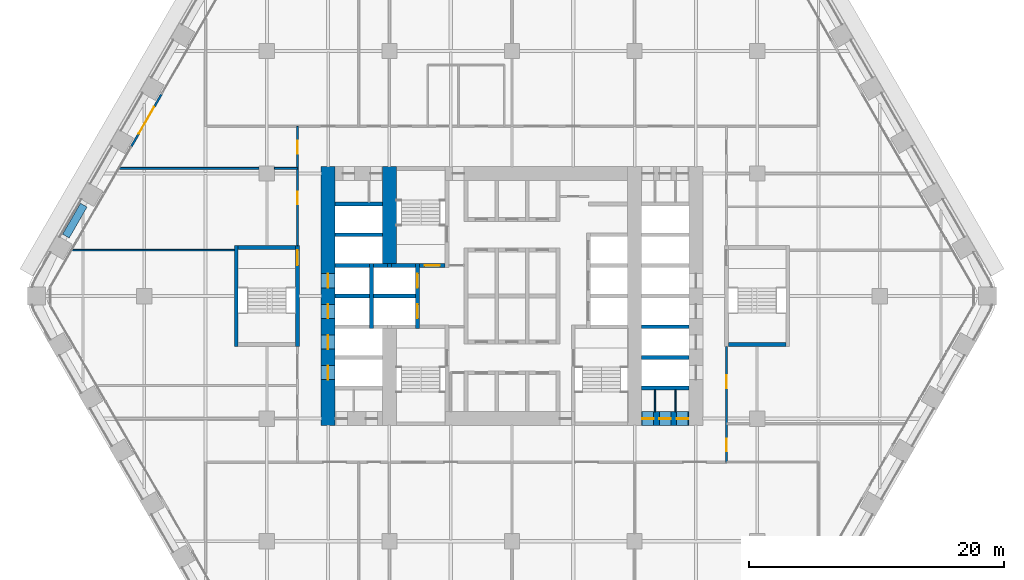
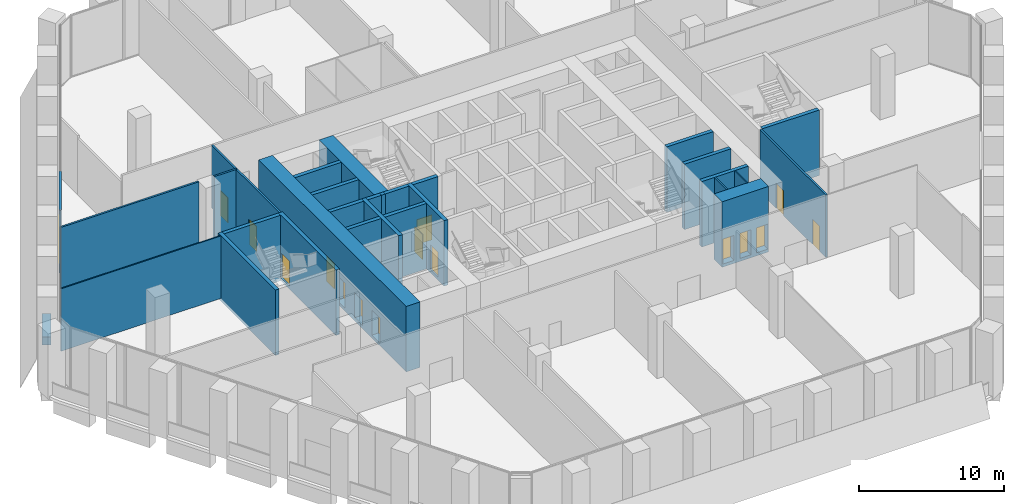
# One storey, part 19 of 27: 30 walls, 16 doors, 16 openings.
"""IFC4 building model written with IfcOpenShell, lengths in metres."""

from ifc_helpers import new_model, si_unit, direction, frame, frame_2d, origin, place, context, subcontext, project, spatial, rectangle, extrude, material, layer, layer_set, type_object, element, fill, save


model = new_model("IFC4")

# Units and contexts
model_context = context("Model", 3, precision=1e-05, world=origin(), true_north=direction((0.0, 1.0)))
body_context = subcontext(model_context, "Body", "Model", "MODEL_VIEW")
ifc_project = project(units=[si_unit("LENGTHUNIT", "METRE"), si_unit("AREAUNIT", "SQUARE_METRE"), si_unit("VOLUMEUNIT", "CUBIC_METRE"), si_unit("PLANEANGLEUNIT", "RADIAN"), si_unit("MASSUNIT", "GRAM", prefix="KILO")], contexts=[model_context])

# Site, building, storey
site_placement = place(None, origin())
site = spatial("IfcSite", under=ifc_project, at=site_placement, CompositionType="ELEMENT")
building_placement = place(site_placement, origin())
building = spatial("IfcBuilding", under=site, at=building_placement, Name="Kolab Exchange Tower", CompositionType="ELEMENT")
storey_placement = place(building_placement, frame((0.0, 0.0, 49.89990234375)))
storey = spatial("IfcBuildingStorey", under=building, at=storey_placement, Name="L09", CompositionType="ELEMENT", Elevation=49.89990234375)

# Wall, openings, doors
ifc_material_1 = material(Name="Concrete C80/95", Category="concrete")
ifc_layer_1 = layer(ifc_material_1, 1.10009765625)
ifc_layer_set_1 = layer_set([ifc_layer_1], Name="Concrete C80/95")
wall_type_1 = type_object("IfcWallType", Name="CORE WALL 1100 C80/95", PredefinedType="SHEAR", material=ifc_layer_set_1)
wall_1_placement = place(storey_placement, frame((10.14990234375, -9.60009765625, -0.25), z_axis=(0.0, 0.0, 1.0), x_axis=(1.0, 0.0, 0.0)))
wall_1 = element("IfcWall", 1, at=wall_1_placement, inside=storey, type_object=wall_type_1, Name="wall/L09/core/004", PredefinedType="SHEAR", context=body_context, shape_type="SweptSolid", body=[
    extrude(rectangle(XDim=3.7001953125, YDim=1.10009765625, at=frame_2d((1.85009765625, 0.0))), origin(), (0.0, 0.0, 1.0), 5.5),
])
opening_1_placement = place(wall_1_placement, frame((0.050048828125, 0.0, 0.25)))
opening_1 = element("IfcOpeningElement", 2, at=opening_1_placement, cuts=wall_1, Name="Opening D6-117", PredefinedType="OPENING", context=body_context, shape_type="SweptSolid", body=[
    extrude(rectangle(XDim=0.89990234375, YDim=2.10009765625, at=frame_2d((0.449951171875, 1.050048828125))), frame((0.0, 0.56005859375, 0.0), z_axis=(0.0, -1.0, 0.0), x_axis=(1.0, 0.0, 0.0)), (0.0, 0.0, 1.0), 1.1201171875),
])
opening_2_placement = place(wall_1_placement, frame((1.39990234375, 0.0, 0.25)))
opening_2 = element("IfcOpeningElement", 3, at=opening_2_placement, cuts=wall_1, Name="Opening D6-100", PredefinedType="OPENING", context=body_context, shape_type="SweptSolid", body=[
    extrude(rectangle(XDim=0.89990234375, YDim=2.10009765625, at=frame_2d((0.449951171875, 1.050048828125))), frame((0.0, 0.56005859375, 0.0), z_axis=(0.0, -1.0, 0.0), x_axis=(1.0, 0.0, 0.0)), (0.0, 0.0, 1.0), 1.1201171875),
])
opening_3_placement = place(wall_1_placement, frame((2.75, 0.0, 0.25)))
opening_3 = element("IfcOpeningElement", 4, at=opening_3_placement, cuts=wall_1, Name="Opening D6-111", PredefinedType="OPENING", context=body_context, shape_type="SweptSolid", body=[
    extrude(rectangle(XDim=0.89990234375, YDim=2.10009765625, at=frame_2d((0.449951171875, 1.050048828125))), frame((0.0, 0.56005859375, 0.0), z_axis=(0.0, -1.0, 0.0), x_axis=(1.0, 0.0, 0.0)), (0.0, 0.0, 1.0), 1.1201171875),
])
ifc_material_2 = material(Name="Steel S235", Category="steel")
door_type_1 = type_object("IfcDoorType", Name="CORE DOOR 900 EI 120", OperationType="SINGLE_SWING_LEFT", PredefinedType="DOOR", material=ifc_material_2)
door_1_placement = place(opening_1_placement, origin())
door_1 = element("IfcDoor", 5, at=door_1_placement, inside=storey, type_object=door_type_1, Name="Service room door", OperationType="SINGLE_SWING_RIGHT", OverallHeight=2.10009765625, OverallWidth=0.89990234375, PredefinedType="DOOR", context=body_context, shape_type="SweptSolid", body=[
    extrude(rectangle(XDim=0.89990234375, YDim=2.10009765625, at=frame_2d((0.449951171875, 1.050048828125))), frame((0.0, 0.02490234375, 0.0), z_axis=(0.0, -1.0, 0.0), x_axis=(1.0, 0.0, 0.0)), (0.0, 0.0, 1.0), 0.050048828125),
])
fill(opening_1, door_1)
door_2_placement = place(opening_2_placement, origin())
door_2 = element("IfcDoor", 6, at=door_2_placement, inside=storey, type_object=door_type_1, Name="Service room door", OperationType="SINGLE_SWING_LEFT", OverallHeight=2.10009765625, OverallWidth=0.89990234375, PredefinedType="DOOR", context=body_context, shape_type="SweptSolid", body=[
    extrude(rectangle(XDim=0.89990234375, YDim=2.10009765625, at=frame_2d((0.449951171875, 1.050048828125))), frame((0.0, 0.02490234375, 0.0), z_axis=(0.0, -1.0, 0.0), x_axis=(1.0, 0.0, 0.0)), (0.0, 0.0, 1.0), 0.050048828125),
])
fill(opening_2, door_2)
door_3_placement = place(opening_3_placement, origin())
door_3 = element("IfcDoor", 7, at=door_3_placement, inside=storey, type_object=door_type_1, Name="Service room door", OperationType="SINGLE_SWING_LEFT", OverallHeight=2.10009765625, OverallWidth=0.89990234375, PredefinedType="DOOR", context=body_context, shape_type="SweptSolid", body=[
    extrude(rectangle(XDim=0.89990234375, YDim=2.10009765625, at=frame_2d((0.449951171875, 1.050048828125))), frame((0.0, 0.02490234375, 0.0), z_axis=(0.0, -1.0, 0.0), x_axis=(1.0, 0.0, 0.0)), (0.0, 0.0, 1.0), 0.050048828125),
])
fill(opening_3, door_3)

wall_2_placement = place(storey_placement, frame((-14.39990234375, -10.14990234375, -0.25), z_axis=(0.0, 0.0, 1.0), x_axis=(0.0, 1.0, 0.0)))
wall_2 = element("IfcWall", 8, at=wall_2_placement, inside=storey, type_object=wall_type_1, Name="wall/L09/core/057", PredefinedType="SHEAR", context=body_context, shape_type="SweptSolid", body=[
    extrude(rectangle(XDim=20.2998046875, YDim=1.10009765625, at=frame_2d((10.14990234375, 0.0))), origin(), (0.0, 0.0, 1.0), 5.5),
])
opening_4_placement = place(wall_2_placement, frame((3.60009765625, 0.0, 0.25)))
opening_4 = element("IfcOpeningElement", 9, at=opening_4_placement, cuts=wall_2, Name="Opening LD1-041", PredefinedType="OPENING", context=body_context, shape_type="SweptSolid", body=[
    extrude(rectangle(XDim=1.10009765625, YDim=2.10009765625, at=frame_2d((0.550048828125, 1.050048828125))), frame((0.0, 0.56005859375, 0.0), z_axis=(0.0, -1.0, 0.0), x_axis=(1.0, 0.0, 0.0)), (0.0, 0.0, 1.0), 1.1201171875),
])
opening_5_placement = place(wall_2_placement, frame((6.0, 0.0, 0.25)))
opening_5 = element("IfcOpeningElement", 10, at=opening_5_placement, cuts=wall_2, Name="Opening LD1-042", PredefinedType="OPENING", context=body_context, shape_type="SweptSolid", body=[
    extrude(rectangle(XDim=1.10009765625, YDim=2.10009765625, at=frame_2d((0.550048828125, 1.050048828125))), frame((0.0, 0.56005859375, 0.0), z_axis=(0.0, -1.0, 0.0), x_axis=(1.0, 0.0, 0.0)), (0.0, 0.0, 1.0), 1.1201171875),
])
opening_6_placement = place(wall_2_placement, frame((8.39990234375, 0.0, 0.25)))
opening_6 = element("IfcOpeningElement", 11, at=opening_6_placement, cuts=wall_2, Name="Opening LD1-043", PredefinedType="OPENING", context=body_context, shape_type="SweptSolid", body=[
    extrude(rectangle(XDim=1.10009765625, YDim=2.10009765625, at=frame_2d((0.550048828125, 1.050048828125))), frame((0.0, 0.56005859375, 0.0), z_axis=(0.0, -1.0, 0.0), x_axis=(1.0, 0.0, 0.0)), (0.0, 0.0, 1.0), 1.1201171875),
])
opening_7_placement = place(wall_2_placement, frame((10.800048828125, 0.0, 0.25)))
opening_7 = element("IfcOpeningElement", 12, at=opening_7_placement, cuts=wall_2, Name="Opening LD1-044", PredefinedType="OPENING", context=body_context, shape_type="SweptSolid", body=[
    extrude(rectangle(XDim=1.10009765625, YDim=2.10009765625, at=frame_2d((0.550048828125, 1.050048828125))), frame((0.0, 0.56005859375, 0.0), z_axis=(0.0, -1.0, 0.0), x_axis=(1.0, 0.0, 0.0)), (0.0, 0.0, 1.0), 1.1201171875),
])
ifc_material_3 = material(Name="Stainless steel 316", Category="steel")
door_type_2 = type_object("IfcDoorType", Name="LANDING DOOR 1100 PASSENGER", OperationType="DOUBLE_DOOR_SLIDING", PredefinedType="DOOR", material=ifc_material_3)
door_4_placement = place(opening_4_placement, origin())
door_4 = element("IfcDoor", 13, at=door_4_placement, inside=storey, type_object=door_type_2, Name="Landing door LR5", OperationType="DOUBLE_DOOR_SLIDING", OverallHeight=2.10009765625, OverallWidth=1.10009765625, PredefinedType="DOOR", context=body_context, shape_type="SweptSolid", body=[
    extrude(rectangle(XDim=1.10009765625, YDim=2.10009765625, at=frame_2d((0.550048828125, 1.050048828125))), frame((0.0, 0.02490234375, 0.0), z_axis=(0.0, -1.0, 0.0), x_axis=(1.0, 0.0, 0.0)), (0.0, 0.0, 1.0), 0.050048828125),
])
fill(opening_4, door_4)
door_5_placement = place(opening_5_placement, origin())
door_5 = element("IfcDoor", 14, at=door_5_placement, inside=storey, type_object=door_type_2, Name="Landing door LR6", OperationType="DOUBLE_DOOR_SLIDING", OverallHeight=2.10009765625, OverallWidth=1.10009765625, PredefinedType="DOOR", context=body_context, shape_type="SweptSolid", body=[
    extrude(rectangle(XDim=1.10009765625, YDim=2.10009765625, at=frame_2d((0.550048828125, 1.050048828125))), frame((0.0, 0.02490234375, 0.0), z_axis=(0.0, -1.0, 0.0), x_axis=(1.0, 0.0, 0.0)), (0.0, 0.0, 1.0), 0.050048828125),
])
fill(opening_5, door_5)
door_6_placement = place(opening_6_placement, origin())
door_6 = element("IfcDoor", 15, at=door_6_placement, inside=storey, type_object=door_type_2, Name="Landing door LR7", OperationType="DOUBLE_DOOR_SLIDING", OverallHeight=2.10009765625, OverallWidth=1.10009765625, PredefinedType="DOOR", context=body_context, shape_type="SweptSolid", body=[
    extrude(rectangle(XDim=1.10009765625, YDim=2.10009765625, at=frame_2d((0.550048828125, 1.050048828125))), frame((0.0, 0.02490234375, 0.0), z_axis=(0.0, -1.0, 0.0), x_axis=(1.0, 0.0, 0.0)), (0.0, 0.0, 1.0), 0.050048828125),
])
fill(opening_6, door_6)
door_7_placement = place(opening_7_placement, origin())
door_7 = element("IfcDoor", 16, at=door_7_placement, inside=storey, type_object=door_type_2, Name="Landing door LR8", OperationType="DOUBLE_DOOR_SLIDING", OverallHeight=2.10009765625, OverallWidth=1.10009765625, PredefinedType="DOOR", context=body_context, shape_type="SweptSolid", body=[
    extrude(rectangle(XDim=1.10009765625, YDim=2.10009765625, at=frame_2d((0.550048828125, 1.050048828125))), frame((0.0, 0.02490234375, 0.0), z_axis=(0.0, -1.0, 0.0), x_axis=(1.0, 0.0, 0.0)), (0.0, 0.0, 1.0), 0.050048828125),
])
fill(opening_7, door_7)

# Wall
wall_3_placement = place(storey_placement, frame((-9.60009765625, 2.550048828125, -0.25), z_axis=(0.0, 0.0, 1.0), x_axis=(0.0, 1.0, 0.0)))
element("IfcWall", 17, at=wall_3_placement, inside=storey, type_object=wall_type_1, Name="wall/L09/core/062", PredefinedType="SHEAR", context=body_context, shape_type="SweptSolid", body=[
    extrude(rectangle(XDim=7.599853515625, YDim=1.10009765625, at=frame_2d((3.7998046875, 0.0))), origin(), (0.0, 0.0, 1.0), 5.5),
])

# Wall, opening, door
ifc_material_4 = material(Name="Aluminium EN AW-6063 T6", Category="aluminium")
ifc_layer_2 = layer(ifc_material_4, 0.159912109375)
ifc_layer_set_2 = layer_set([ifc_layer_2], Name="Aluminium EN AW-6063 T6")
wall_type_2 = type_object("IfcWallType", Name="DOOR SURROUND WALL 160 ALUMINIUM FRAMED", PredefinedType="PARTITIONING", material=ifc_layer_set_2)
wall_4_placement = place(storey_placement, frame((-29.816650390625, 11.706787109375, 0.0), z_axis=(0.0, 0.0, 1.0), x_axis=(0.499978080042, 0.866038058908, 0.0)))
wall_4 = element("IfcWall", 18, at=wall_4_placement, inside=storey, type_object=wall_type_2, Name="Door surround wall", PredefinedType="PARTITIONING", context=body_context, shape_type="SweptSolid", body=[
    extrude(rectangle(XDim=4.739990234375, YDim=0.159912109375, at=frame_2d((2.3701171875, 0.0))), origin(), (0.0, 0.0, 1.0), 5.25),
])
opening_8_placement = place(wall_4_placement, frame((1.169921875, 0.0, 0.0)))
opening_8 = element("IfcOpeningElement", 19, at=opening_8_placement, cuts=wall_4, Name="Opening GD1-022", PredefinedType="OPENING", context=body_context, shape_type="SweptSolid", body=[
    extrude(rectangle(XDim=2.39990234375, YDim=2.39990234375, at=frame_2d((1.199951171875, 1.199951171875))), frame((0.0, 0.08984375, 0.0), z_axis=(0.0, -1.0, 0.0), x_axis=(1.0, 0.0, 0.0)), (0.0, 0.0, 1.0), 0.179931640625),
])
door_type_3 = type_object("IfcDoorType", Name="LOGGIA SLIDING GLASS DOOR 2400 X 2400", OperationType="DOUBLE_DOOR_SINGLE_SWING", PredefinedType="DOOR", material=ifc_material_4)
door_8_placement = place(opening_8_placement, origin())
door_8 = element("IfcDoor", 20, at=door_8_placement, inside=storey, type_object=door_type_3, Name="Loggia door", OperationType="DOUBLE_DOOR_SLIDING", OverallHeight=2.39990234375, OverallWidth=2.39990234375, PredefinedType="DOOR", context=body_context, shape_type="SweptSolid", body=[
    extrude(rectangle(XDim=2.39990234375, YDim=2.39990234375, at=frame_2d((1.199951171875, 1.199951171875))), frame((0.0, 0.02490234375, 0.0), z_axis=(0.0, -1.0, 0.0), x_axis=(1.0, 0.0, 0.0)), (0.0, 0.0, 1.0), 0.050048828125),
])
fill(opening_8, door_8)

# Walls
ifc_material_5 = material(Name="Concrete C50/60", Category="concrete")
ifc_layer_3 = layer(ifc_material_5, 0.300048828125)
ifc_layer_set_3 = layer_set([ifc_layer_3], Name="Concrete C50/60")
wall_type_3 = type_object("IfcWallType", Name="LIFT SHAFT WALL 300 C50/60", PredefinedType="STANDARD", material=ifc_layer_set_3)
for number, where, z_axis, x_axis, name in (
    (21, (10.14990234375, -7.199951171875, -0.25), (0.0, 0.0, 1.0), (1.0, 0.0, 0.0), "wall/L09/core/006"),
    (22, (10.14990234375, -4.800048828125, -0.25), (0.0, 0.0, 1.0), (1.0, 0.0, 0.0), "wall/L09/core/011"),
    (23, (10.14990234375, -2.39990234375, -0.25), (0.0, 0.0, 1.0), (1.0, 0.0, 0.0), "wall/L09/core/023"),
):
    element("IfcWall", number, at=place(storey_placement, frame(where, z_axis=z_axis, x_axis=x_axis)), inside=storey, type_object=wall_type_3, Name=name, PredefinedType="STANDARD", context=body_context, shape_type="SweptSolid", body=[
        extrude(rectangle(XDim=3.7001953125, YDim=0.300048828125, at=frame_2d((1.85009765625, 0.0))), origin(), (0.0, 0.0, 1.0), 5.5),
    ])
wall_5_placement = place(storey_placement, frame((-13.85009765625, 0.0, -0.25), z_axis=(0.0, 0.0, 1.0), x_axis=(1.0, 0.0, 0.0)))
element("IfcWall", 24, at=wall_5_placement, inside=storey, type_object=wall_type_3, Name="wall/L09/core/024", PredefinedType="STANDARD", context=body_context, shape_type="SweptSolid", body=[
    extrude(rectangle(XDim=2.7001953125, YDim=0.300048828125, at=frame_2d((1.35009765625, 0.0))), origin(), (0.0, 0.0, 1.0), 5.5),
])
wall_6_placement = place(storey_placement, frame((-10.85009765625, 0.0, -0.25), z_axis=(0.0, 0.0, 1.0), x_axis=(1.0, 0.0, 0.0)))
element("IfcWall", 25, at=wall_6_placement, inside=storey, type_object=wall_type_3, Name="wall/L09/core/025", PredefinedType="STANDARD", context=body_context, shape_type="SweptSolid", body=[
    extrude(rectangle(XDim=3.300048828125, YDim=0.300048828125, at=frame_2d((1.64990234375, 0.0))), origin(), (0.0, 0.0, 1.0), 5.5),
])
wall_7_placement = place(storey_placement, frame((-13.85009765625, 2.39990234375, -0.25), z_axis=(0.0, 0.0, 1.0), x_axis=(1.0, 0.0, 0.0)))
element("IfcWall", 26, at=wall_7_placement, inside=storey, type_object=wall_type_3, Name="wall/L09/core/031", PredefinedType="STANDARD", context=body_context, shape_type="SweptSolid", body=[
    extrude(rectangle(XDim=2.7001953125, YDim=0.300048828125, at=frame_2d((1.35009765625, 0.0))), origin(), (0.0, 0.0, 1.0), 5.5),
])
wall_8_placement = place(storey_placement, frame((-10.85009765625, 2.39990234375, -0.25), z_axis=(0.0, 0.0, 1.0), x_axis=(1.0, 0.0, 0.0)))
element("IfcWall", 27, at=wall_8_placement, inside=storey, type_object=wall_type_3, Name="wall/L09/core/032", PredefinedType="STANDARD", context=body_context, shape_type="SweptSolid", body=[
    extrude(rectangle(XDim=1.10009765625, YDim=0.300048828125, at=frame_2d((0.550048828125, 0.0))), origin(), (0.0, 0.0, 1.0), 5.5),
])
for number, where, z_axis, x_axis, name in (
    (28, (-13.85009765625, 4.800048828125, -0.25), (0.0, 0.0, 1.0), (1.0, 0.0, 0.0), "wall/L09/core/042"),
    (29, (-13.85009765625, 7.199951171875, -0.25), (0.0, 0.0, 1.0), (1.0, 0.0, 0.0), "wall/L09/core/048"),
):
    element("IfcWall", number, at=place(storey_placement, frame(where, z_axis=z_axis, x_axis=x_axis)), inside=storey, type_object=wall_type_3, Name=name, PredefinedType="STANDARD", context=body_context, shape_type="SweptSolid", body=[
        extrude(rectangle(XDim=3.7001953125, YDim=0.300048828125, at=frame_2d((1.85009765625, 0.0))), origin(), (0.0, 0.0, 1.0), 5.5),
    ])
wall_9_placement = place(storey_placement, frame((-11.0, -2.550048828125, -0.25), z_axis=(0.0, 0.0, 1.0), x_axis=(0.0, 1.0, 0.0)))
element("IfcWall", 30, at=wall_9_placement, inside=storey, type_object=wall_type_3, Name="wall/L09/core/058", PredefinedType="STANDARD", context=body_context, shape_type="SweptSolid", body=[
    extrude(rectangle(XDim=5.10009765625, YDim=0.300048828125, at=frame_2d((2.550048828125, 0.0))), origin(), (0.0, 0.0, 1.0), 5.5),
])

# Wall, openings, doors
wall_10_placement = place(storey_placement, frame((-7.39990234375, -2.550048828125, -0.25), z_axis=(0.0, 0.0, 1.0), x_axis=(0.0, 1.0, 0.0)))
wall_10 = element("IfcWall", 31, at=wall_10_placement, inside=storey, type_object=wall_type_3, Name="wall/L09/core/063", PredefinedType="STANDARD", context=body_context, shape_type="SweptSolid", body=[
    extrude(rectangle(XDim=5.10009765625, YDim=0.300048828125, at=frame_2d((2.550048828125, 0.0))), origin(), (0.0, 0.0, 1.0), 5.5),
])
opening_9_placement = place(wall_10_placement, frame((0.800048828125, 0.0, 0.25)))
opening_9 = element("IfcOpeningElement", 32, at=opening_9_placement, cuts=wall_10, Name="Opening LD2-009", PredefinedType="OPENING", context=body_context, shape_type="SweptSolid", body=[
    extrude(rectangle(XDim=1.10009765625, YDim=2.10009765625, at=frame_2d((0.550048828125, 1.050048828125))), frame((0.0, 0.16015625, 0.0), z_axis=(0.0, -1.0, 0.0), x_axis=(1.0, 0.0, 0.0)), (0.0, 0.0, 1.0), 0.320068359375),
])
opening_10_placement = place(wall_10_placement, frame((3.199951171875, 0.0, 0.25)))
opening_10 = element("IfcOpeningElement", 33, at=opening_10_placement, cuts=wall_10, Name="Opening LD2-010", PredefinedType="OPENING", context=body_context, shape_type="SweptSolid", body=[
    extrude(rectangle(XDim=1.10009765625, YDim=2.10009765625, at=frame_2d((0.550048828125, 1.050048828125))), frame((0.0, 0.16015625, 0.0), z_axis=(0.0, -1.0, 0.0), x_axis=(1.0, 0.0, 0.0)), (0.0, 0.0, 1.0), 0.320068359375),
])
door_type_4 = type_object("IfcDoorType", Name="LANDING DOOR 1100 FIREFIGHTING", OperationType="DOUBLE_DOOR_SLIDING", PredefinedType="DOOR", material=ifc_material_3)
door_9_placement = place(opening_9_placement, origin())
door_9 = element("IfcDoor", 34, at=door_9_placement, inside=storey, type_object=door_type_4, Name="Landing door FF1", OperationType="DOUBLE_DOOR_SLIDING", OverallHeight=2.10009765625, OverallWidth=1.10009765625, PredefinedType="DOOR", context=body_context, shape_type="SweptSolid", body=[
    extrude(rectangle(XDim=1.10009765625, YDim=2.10009765625, at=frame_2d((0.550048828125, 1.050048828125))), frame((0.0, 0.02490234375, 0.0), z_axis=(0.0, -1.0, 0.0), x_axis=(1.0, 0.0, 0.0)), (0.0, 0.0, 1.0), 0.050048828125),
])
fill(opening_9, door_9)
door_10_placement = place(opening_10_placement, origin())
door_10 = element("IfcDoor", 35, at=door_10_placement, inside=storey, type_object=door_type_4, Name="Landing door FF2", OperationType="DOUBLE_DOOR_SLIDING", OverallHeight=2.10009765625, OverallWidth=1.10009765625, PredefinedType="DOOR", context=body_context, shape_type="SweptSolid", body=[
    extrude(rectangle(XDim=1.10009765625, YDim=2.10009765625, at=frame_2d((0.550048828125, 1.050048828125))), frame((0.0, 0.02490234375, 0.0), z_axis=(0.0, -1.0, 0.0), x_axis=(1.0, 0.0, 0.0)), (0.0, 0.0, 1.0), 0.050048828125),
])
fill(opening_10, door_10)

# Walls
ifc_material_6 = material(Name="Gypsum board", Category="gypsum")
ifc_layer_4 = layer(ifc_material_6, 0.10009765625)
ifc_layer_set_4 = layer_set([ifc_layer_4], Name="Gypsum board")
wall_type_4 = type_object("IfcWallType", Name="PARTITION 100", PredefinedType="PARTITIONING", material=ifc_layer_set_4)
for number, where, z_axis, x_axis, name in (
    (36, (12.800048828125, -9.050048828125, 0.0), (0.0, 0.0, 1.0), (0.0, 1.0, 0.0), "Partition 004"),
    (37, (11.199951171875, -9.050048828125, 0.0), (0.0, 0.0, 1.0), (0.0, 1.0, 0.0), "Partition 006"),
):
    element("IfcWall", number, at=place(storey_placement, frame(where, z_axis=z_axis, x_axis=x_axis)), inside=storey, type_object=wall_type_4, Name=name, PredefinedType="PARTITIONING", context=body_context, shape_type="SweptSolid", body=[
        extrude(rectangle(XDim=1.699951171875, YDim=0.10009765625, at=frame_2d((0.85009765625, 0.0))), origin(), (0.0, 0.0, 1.0), 5.25),
    ])
wall_11_placement = place(storey_placement, frame((-34.450927734375, 3.60009765625, 0.0), z_axis=(0.0, 0.0, 1.0), x_axis=(1.0, 0.0, 0.0)))
element("IfcWall", 38, at=wall_11_placement, inside=storey, type_object=wall_type_4, Name="Partition 040", PredefinedType="PARTITIONING", context=body_context, shape_type="SweptSolid", body=[
    extrude(rectangle(XDim=12.700927734375, YDim=0.10009765625, at=frame_2d((6.3505859375, 0.0))), origin(), (0.0, 0.0, 1.0), 5.25),
])

# Wall, openings, doors
ifc_layer_5 = layer(ifc_material_6, 0.14990234375)
ifc_layer_set_5 = layer_set([ifc_layer_5], Name="Gypsum board")
wall_type_5 = type_object("IfcWallType", Name="PARTITION 150 FIRE-RATED", PredefinedType="PARTITIONING", material=ifc_layer_set_5)
wall_12_placement = place(storey_placement, frame((16.800048828125, -13.0, 0.0), z_axis=(0.0, 0.0, 1.0), x_axis=(0.0, 1.0, 0.0)))
wall_12 = element("IfcWall", 39, at=wall_12_placement, inside=storey, type_object=wall_type_5, Name="Partition 002", PredefinedType="PARTITIONING", context=body_context, shape_type="SweptSolid", body=[
    extrude(rectangle(XDim=9.050048828125, YDim=0.14990234375, at=frame_2d((4.52490234375, 0.0))), origin(), (0.0, 0.0, 1.0), 5.25),
])
opening_11_placement = place(wall_12_placement, frame((0.8349609375, 0.0, 0.0)))
opening_11 = element("IfcOpeningElement", 40, at=opening_11_placement, cuts=wall_12, Name="Opening D1-125", PredefinedType="OPENING", context=body_context, shape_type="SweptSolid", body=[
    extrude(rectangle(XDim=1.0, YDim=2.10009765625, at=frame_2d((0.5, 1.050048828125))), frame((0.0, 0.0849609375, 0.0), z_axis=(0.0, -1.0, 0.0), x_axis=(1.0, 0.0, 0.0)), (0.0, 0.0, 1.0), 0.169921875),
])
opening_12_placement = place(wall_12_placement, frame((5.800048828125, 0.0, 0.0)))
opening_12 = element("IfcOpeningElement", 41, at=opening_12_placement, cuts=wall_12, Name="Opening D1-116", PredefinedType="OPENING", context=body_context, shape_type="SweptSolid", body=[
    extrude(rectangle(XDim=1.0, YDim=2.10009765625, at=frame_2d((0.5, 1.050048828125))), frame((0.0, 0.0849609375, 0.0), z_axis=(0.0, -1.0, 0.0), x_axis=(1.0, 0.0, 0.0)), (0.0, 0.0, 1.0), 0.169921875),
])
door_type_5 = type_object("IfcDoorType", Name="FLUSH DOOR 1000 FD60", OperationType="SINGLE_SWING_LEFT", PredefinedType="DOOR", material=ifc_material_2)
door_11_placement = place(opening_11_placement, frame((1.0, 0.0, 0.0), z_axis=(0.0, 0.0, 1.0), x_axis=(-1.0, 0.0, 0.0)))
door_11 = element("IfcDoor", 42, at=door_11_placement, inside=storey, type_object=door_type_5, Name="Door L09-061", OperationType="SINGLE_SWING_LEFT", OverallHeight=2.10009765625, OverallWidth=1.0, PredefinedType="DOOR", context=body_context, shape_type="SweptSolid", body=[
    extrude(rectangle(XDim=1.0, YDim=2.10009765625, at=frame_2d((0.5, 1.050048828125))), frame((0.0, 0.02490234375, 0.0), z_axis=(0.0, -1.0, 0.0), x_axis=(1.0, 0.0, 0.0)), (0.0, 0.0, 1.0), 0.050048828125),
])
fill(opening_11, door_11)
door_12_placement = place(opening_12_placement, frame((1.0, 0.0, 0.0), z_axis=(0.0, 0.0, 1.0), x_axis=(-1.0, 0.0, 0.0)))
door_12 = element("IfcDoor", 43, at=door_12_placement, inside=storey, type_object=door_type_5, Name="Door L09-062", OperationType="SINGLE_SWING_RIGHT", OverallHeight=2.10009765625, OverallWidth=1.0, PredefinedType="DOOR", context=body_context, shape_type="SweptSolid", body=[
    extrude(rectangle(XDim=1.0, YDim=2.10009765625, at=frame_2d((0.5, 1.050048828125))), frame((0.0, 0.02490234375, 0.0), z_axis=(0.0, -1.0, 0.0), x_axis=(1.0, 0.0, 0.0)), (0.0, 0.0, 1.0), 0.050048828125),
])
fill(opening_12, door_12)

wall_13_placement = place(storey_placement, frame((-16.800048828125, 3.949951171875, 0.0), z_axis=(0.0, 0.0, 1.0), x_axis=(0.0, 1.0, 0.0)))
wall_13 = element("IfcWall", 44, at=wall_13_placement, inside=storey, type_object=wall_type_5, Name="Partition 029", PredefinedType="PARTITIONING", context=body_context, shape_type="SweptSolid", body=[
    extrude(rectangle(XDim=9.35009765625, YDim=0.14990234375, at=frame_2d((4.675048828125, 0.0))), origin(), (0.0, 0.0, 1.0), 5.25),
])
opening_13_placement = place(wall_13_placement, frame((3.22509765625, 0.0, 0.0)))
opening_13 = element("IfcOpeningElement", 45, at=opening_13_placement, cuts=wall_13, Name="Opening D1-128", PredefinedType="OPENING", context=body_context, shape_type="SweptSolid", body=[
    extrude(rectangle(XDim=1.0, YDim=2.10009765625, at=frame_2d((0.5, 1.050048828125))), frame((0.0, 0.0849609375, 0.0), z_axis=(0.0, -1.0, 0.0), x_axis=(1.0, 0.0, 0.0)), (0.0, 0.0, 1.0), 0.169921875),
])
opening_14_placement = place(wall_13_placement, frame((7.199951171875, 0.0, 0.0)))
opening_14 = element("IfcOpeningElement", 46, at=opening_14_placement, cuts=wall_13, Name="Opening D1-123", PredefinedType="OPENING", context=body_context, shape_type="SweptSolid", body=[
    extrude(rectangle(XDim=1.0, YDim=2.10009765625, at=frame_2d((0.5, 1.050048828125))), frame((0.0, 0.0849609375, 0.0), z_axis=(0.0, -1.0, 0.0), x_axis=(1.0, 0.0, 0.0)), (0.0, 0.0, 1.0), 0.169921875),
])
door_13_placement = place(opening_13_placement, origin())
door_13 = element("IfcDoor", 47, at=door_13_placement, inside=storey, type_object=door_type_5, Name="Door L09-069", OperationType="SINGLE_SWING_RIGHT", OverallHeight=2.10009765625, OverallWidth=1.0, PredefinedType="DOOR", context=body_context, shape_type="SweptSolid", body=[
    extrude(rectangle(XDim=1.0, YDim=2.10009765625, at=frame_2d((0.5, 1.050048828125))), frame((0.0, 0.02490234375, 0.0), z_axis=(0.0, -1.0, 0.0), x_axis=(1.0, 0.0, 0.0)), (0.0, 0.0, 1.0), 0.050048828125),
])
fill(opening_13, door_13)
door_14_placement = place(opening_14_placement, origin())
door_14 = element("IfcDoor", 48, at=door_14_placement, inside=storey, type_object=door_type_5, Name="Door L09-070", OperationType="SINGLE_SWING_LEFT", OverallHeight=2.10009765625, OverallWidth=1.0, PredefinedType="DOOR", context=body_context, shape_type="SweptSolid", body=[
    extrude(rectangle(XDim=1.0, YDim=2.10009765625, at=frame_2d((0.5, 1.050048828125))), frame((0.0, 0.02490234375, 0.0), z_axis=(0.0, -1.0, 0.0), x_axis=(1.0, 0.0, 0.0)), (0.0, 0.0, 1.0), 0.050048828125),
])
fill(opening_14, door_14)

# Walls
wall_14_placement = place(storey_placement, frame((-30.755859375, 10.0, 0.0), z_axis=(0.0, 0.0, 1.0), x_axis=(1.0, 0.0, 0.0)))
element("IfcWall", 49, at=wall_14_placement, inside=storey, type_object=wall_type_5, Name="Partition 046", PredefinedType="PARTITIONING", context=body_context, shape_type="SweptSolid", body=[
    extrude(rectangle(XDim=10.955810546875, YDim=0.14990234375, at=frame_2d((5.47802734375, 0.0))), origin(), (0.0, 0.0, 1.0), 5.25),
])
wall_15_placement = place(storey_placement, frame((-18.60009765625, 10.0, 0.0), z_axis=(0.0, 0.0, 1.0), x_axis=(1.0, 0.0, 0.0)))
element("IfcWall", 50, at=wall_15_placement, inside=storey, type_object=wall_type_5, Name="Partition 047", PredefinedType="PARTITIONING", context=body_context, shape_type="SweptSolid", body=[
    extrude(rectangle(XDim=1.800048828125, YDim=0.14990234375, at=frame_2d((0.89990234375, 0.0))), origin(), (0.0, 0.0, 1.0), 5.25),
])
ifc_material_7 = material(Name="Granite facing", Category="masonry")
ifc_layer_6 = layer(ifc_material_7, 0.0400390625)
ifc_material_8 = material(Name="Concrete C40/50 precast", Category="concrete")
ifc_layer_7 = layer(ifc_material_8, 0.56005859375)
ifc_layer_set_6 = layer_set([ifc_layer_6, ifc_layer_7], Name="Concrete C40/50 precast")
wall_type_6 = type_object("IfcWallType", Name="PLANTER BOX 600 X 700 SOIL DEPTH 550", PredefinedType="USERDEFINED", material=ifc_layer_set_6)
wall_16_placement = place(storey_placement, frame((-34.93701171875, 4.697998046875, 0.0), z_axis=(0.0, 0.0, 1.0), x_axis=(0.49998411664, 0.866034573852, 0.0)))
element("IfcWall", 51, at=wall_16_placement, inside=storey, type_object=wall_type_6, Name="Planter", ObjectType="PLANTER", PredefinedType="USERDEFINED", context=body_context, shape_type="SweptSolid", body=[
    extrude(rectangle(XDim=2.7998046875, YDim=0.60009765625, at=frame_2d((1.39990234375, 0.0))), origin(), (0.0, 0.0, 1.0), 0.7001953125),
])
ifc_layer_8 = layer(ifc_material_5, 0.300048828125)
ifc_layer_set_7 = layer_set([ifc_layer_8], Name="Concrete C50/60")
wall_type_7 = type_object("IfcWallType", Name="STAIR ENCLOSURE WALL 300 C50/60", PredefinedType="STANDARD", material=ifc_layer_set_7)
wall_17_placement = place(storey_placement, frame((16.949951171875, -3.800048828125, -0.25), z_axis=(0.0, 0.0, 1.0), x_axis=(1.0, 0.0, 0.0)))
element("IfcWall", 52, at=wall_17_placement, inside=storey, type_object=wall_type_7, Name="wall/L09/core/013", PredefinedType="STANDARD", context=body_context, shape_type="SweptSolid", body=[
    extrude(rectangle(XDim=4.5, YDim=0.300048828125, at=frame_2d((2.25, 0.0))), origin(), (0.0, 0.0, 1.0), 5.5),
])
wall_18_placement = place(storey_placement, frame((-9.449951171875, 2.39990234375, -0.25), z_axis=(0.0, 0.0, 1.0), x_axis=(1.0, 0.0, 0.0)))
element("IfcWall", 53, at=wall_18_placement, inside=storey, type_object=wall_type_7, Name="wall/L09/core/033", PredefinedType="STANDARD", context=body_context, shape_type="SweptSolid", body=[
    extrude(rectangle(XDim=1.89990234375, YDim=0.300048828125, at=frame_2d((0.949951171875, 0.0))), origin(), (0.0, 0.0, 1.0), 5.5),
])

# Wall, opening, door
wall_19_placement = place(storey_placement, frame((-7.25, 2.39990234375, -0.25), z_axis=(0.0, 0.0, 1.0), x_axis=(1.0, 0.0, 0.0)))
wall_19 = element("IfcWall", 54, at=wall_19_placement, inside=storey, type_object=wall_type_7, Name="wall/L09/core/034", PredefinedType="STANDARD", context=body_context, shape_type="SweptSolid", body=[
    extrude(rectangle(XDim=2.0, YDim=0.300048828125, at=frame_2d((1.0, 0.0))), origin(), (0.0, 0.0, 1.0), 5.5),
])
opening_15_placement = place(wall_19_placement, frame((0.39990234375, 0.0, 0.25)))
opening_15 = element("IfcOpeningElement", 55, at=opening_15_placement, cuts=wall_19, Name="Opening D4-019", PredefinedType="OPENING", context=body_context, shape_type="SweptSolid", body=[
    extrude(rectangle(XDim=1.199951171875, YDim=2.10009765625, at=frame_2d((0.60009765625, 1.050048828125))), frame((0.0, 0.16015625, 0.0), z_axis=(0.0, -1.0, 0.0), x_axis=(1.0, 0.0, 0.0)), (0.0, 0.0, 1.0), 0.320068359375),
])
door_type_6 = type_object("IfcDoorType", Name="STAIR DOOR 1200 EI 120", OperationType="SINGLE_SWING_LEFT", PredefinedType="DOOR", material=ifc_material_2)
door_15_placement = place(opening_15_placement, origin())
door_15 = element("IfcDoor", 56, at=door_15_placement, inside=storey, type_object=door_type_6, Name="Stair 1 door", OperationType="SINGLE_SWING_RIGHT", OverallHeight=2.10009765625, OverallWidth=1.199951171875, PredefinedType="DOOR", context=body_context, shape_type="SweptSolid", body=[
    extrude(rectangle(XDim=1.199951171875, YDim=2.10009765625, at=frame_2d((0.60009765625, 1.050048828125))), frame((0.0, 0.02490234375, 0.0), z_axis=(0.0, -1.0, 0.0), x_axis=(1.0, 0.0, 0.0)), (0.0, 0.0, 1.0), 0.050048828125),
])
fill(opening_15, door_15)

# Walls
wall_20_placement = place(storey_placement, frame((-21.449951171875, 3.800048828125, -0.25), z_axis=(0.0, 0.0, 1.0), x_axis=(1.0, 0.0, 0.0)))
element("IfcWall", 57, at=wall_20_placement, inside=storey, type_object=wall_type_7, Name="wall/L09/core/040", PredefinedType="STANDARD", context=body_context, shape_type="SweptSolid", body=[
    extrude(rectangle(XDim=4.5, YDim=0.300048828125, at=frame_2d((2.25, 0.0))), origin(), (0.0, 0.0, 1.0), 5.5),
])
wall_21_placement = place(storey_placement, frame((-21.60009765625, -3.949951171875, -0.25), z_axis=(0.0, 0.0, 1.0), x_axis=(0.0, 1.0, 0.0)))
element("IfcWall", 58, at=wall_21_placement, inside=storey, type_object=wall_type_7, Name="wall/L09/core/055", PredefinedType="STANDARD", context=body_context, shape_type="SweptSolid", body=[
    extrude(rectangle(XDim=7.89990234375, YDim=0.300048828125, at=frame_2d((3.949951171875, 0.0))), origin(), (0.0, 0.0, 1.0), 5.5),
])

# Wall, opening, door
wall_22_placement = place(storey_placement, frame((-16.800048828125, -3.949951171875, -0.25), z_axis=(0.0, 0.0, 1.0), x_axis=(0.0, 1.0, 0.0)))
wall_22 = element("IfcWall", 59, at=wall_22_placement, inside=storey, type_object=wall_type_7, Name="wall/L09/core/056", PredefinedType="STANDARD", context=body_context, shape_type="SweptSolid", body=[
    extrude(rectangle(XDim=7.89990234375, YDim=0.300048828125, at=frame_2d((3.949951171875, 0.0))), origin(), (0.0, 0.0, 1.0), 5.5),
])
opening_16_placement = place(wall_22_placement, frame((6.35009765625, 0.0, 0.25)))
opening_16 = element("IfcOpeningElement", 60, at=opening_16_placement, cuts=wall_22, Name="Opening D4-024", PredefinedType="OPENING", context=body_context, shape_type="SweptSolid", body=[
    extrude(rectangle(XDim=1.199951171875, YDim=2.10009765625, at=frame_2d((0.60009765625, 1.050048828125))), frame((0.0, 0.16015625, 0.0), z_axis=(0.0, -1.0, 0.0), x_axis=(1.0, 0.0, 0.0)), (0.0, 0.0, 1.0), 0.320068359375),
])
door_16_placement = place(opening_16_placement, origin())
door_16 = element("IfcDoor", 61, at=door_16_placement, inside=storey, type_object=door_type_6, Name="Stair 5 door", OperationType="SINGLE_SWING_RIGHT", OverallHeight=2.10009765625, OverallWidth=1.199951171875, PredefinedType="DOOR", context=body_context, shape_type="SweptSolid", body=[
    extrude(rectangle(XDim=1.199951171875, YDim=2.10009765625, at=frame_2d((0.60009765625, 1.050048828125))), frame((0.0, 0.02490234375, 0.0), z_axis=(0.0, -1.0, 0.0), x_axis=(1.0, 0.0, 0.0)), (0.0, 0.0, 1.0), 0.050048828125),
])
fill(opening_16, door_16)

# Wall
wall_23_placement = place(storey_placement, frame((-9.60009765625, 2.25, -0.25), z_axis=(0.0, 0.0, 1.0), x_axis=(0.0, 1.0, 0.0)))
element("IfcWall", 62, at=wall_23_placement, inside=storey, type_object=wall_type_7, Name="wall/L09/core/061", PredefinedType="STANDARD", context=body_context, shape_type="SweptSolid", body=[
    extrude(rectangle(XDim=0.300048828125, YDim=0.300048828125, at=frame_2d((0.14990234375, 0.0))), origin(), (0.0, 0.0, 1.0), 5.5),
])

save(model, "model.ifc")
